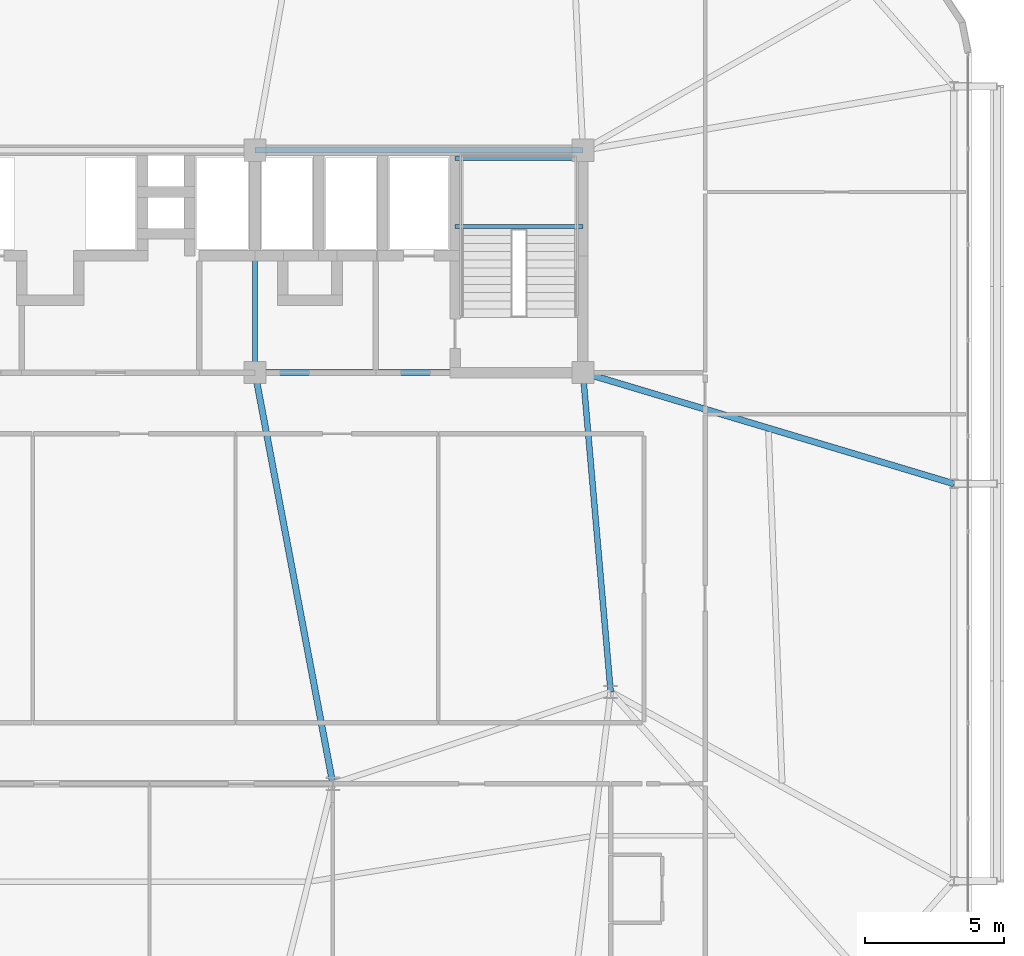
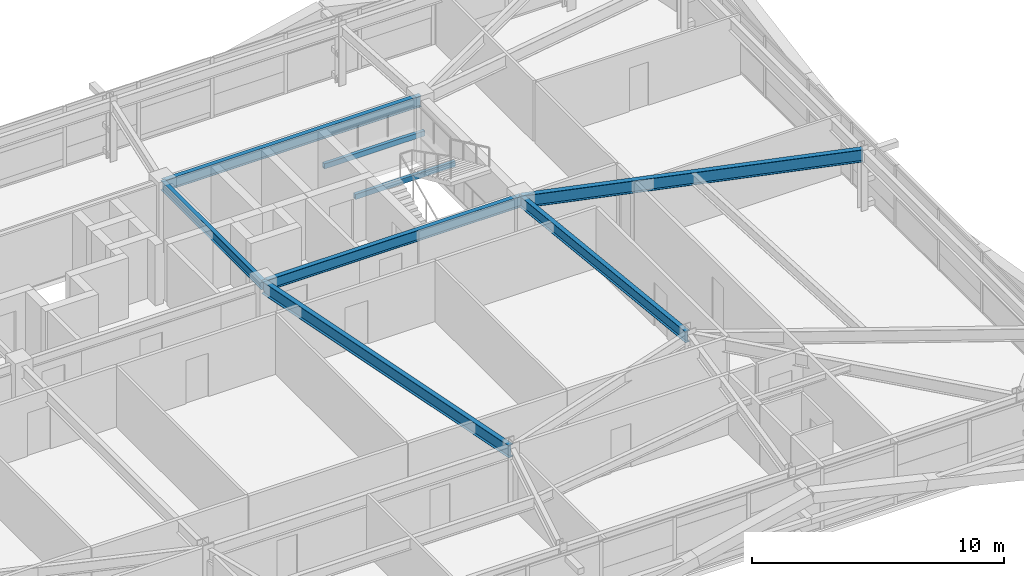
# One storey, part 29 of 58: 8 beams.
"""IFC4 building model written with IfcOpenShell, lengths in metres."""

from ifc_helpers import new_model, si_unit, direction, frame, origin, origin_2d, place, context, subcontext, project, spatial, hollow_rectangle, i_section, extrude, source, transform, mapped, material, material_profile, profile_set, type_object, element, save


model = new_model("IFC4")

# Units and contexts
model_context = context("Model", 3, precision=1e-05, world=origin(), true_north=direction((0.0, 1.0)))
body_context = subcontext(model_context, "Body", "Model", "MODEL_VIEW")
ifc_project = project(units=[si_unit("LENGTHUNIT", "METRE"), si_unit("AREAUNIT", "SQUARE_METRE"), si_unit("VOLUMEUNIT", "CUBIC_METRE"), si_unit("PLANEANGLEUNIT", "RADIAN"), si_unit("MASSUNIT", "GRAM", prefix="KILO")], contexts=[model_context])

# Site, building, storey
site_placement = place(None, origin())
site = spatial("IfcSite", under=ifc_project, at=site_placement, CompositionType="ELEMENT")
building_placement = place(site_placement, origin())
building = spatial("IfcBuilding", under=site, at=building_placement, Name="Taldren Reach Tower", CompositionType="ELEMENT")
storey_placement = place(building_placement, frame((0.0, 0.0, 32.550048828125)))
storey = spatial("IfcBuildingStorey", under=building, at=storey_placement, Name="L09", CompositionType="ELEMENT", Elevation=32.550048828125)

# Beams
ifc_material_1 = material(Name="Steel Gr 350 (350PLUS)", Category="steel")
ifc_material_profile_1 = material_profile(ifc_material_1, i_section(OverallWidth=0.208984375, OverallDepth=0.532958984375, WebThickness=0.01025390625, FlangeThickness=0.015625, at=origin_2d()), Name="530UB92.4")
ifc_profile_set_1 = profile_set([ifc_material_profile_1], Name="Steel Gr 350 (350PLUS)")
beam_type_1 = type_object("IfcBeamType", Name="BM-UB530A", PredefinedType="BEAM", material=ifc_profile_set_1)
shared_shape_1 = source(origin(), body_context, "Body", "SweptSolid", [
    extrude(i_section(OverallWidth=0.208984375, OverallDepth=0.532958984375, WebThickness=0.01025390625, FlangeThickness=0.015625, at=origin_2d()), origin(), (0.0, 0.0, 1.0), 11.800048828125),
])
for number, where, z_axis, x_axis, name in (
    (1, (39.199951171875, 24.0, 2.663330078125), (1.0, 0.0, 0.0), (0.0, 1.0, 0.0), "Core-spine girder L09-SP03"),
    (2, (39.199951171875, 32.0, 2.663330078125), (1.0, 0.0, 0.0), (0.0, 1.0, 0.0), "Core-spine girder L09-SP06"),
):
    element("IfcBeam", number, at=place(storey_placement, frame(where, z_axis=z_axis, x_axis=x_axis)), inside=storey, type_object=beam_type_1, Name=name, PredefinedType="BEAM", context=body_context, shape_type="MappedRepresentation", body=[
        mapped(shared_shape_1, transform((0.0, 0.0, 0.0), scale=1.0)),
    ])
ifc_material_profile_2 = material_profile(ifc_material_1, i_section(OverallWidth=0.19091796875, OverallDepth=0.4599609375, WebThickness=0.010009765625, FlangeThickness=0.01611328125, at=origin_2d()), Name="460UB82.1")
ifc_profile_set_2 = profile_set([ifc_material_profile_2], Name="Steel Gr 350 (350PLUS)")
beam_type_2 = type_object("IfcBeamType", Name="BM-UB460A", PredefinedType="BEAM", material=ifc_profile_set_2)
shared_shape_2 = source(origin(), body_context, "Body", "SweptSolid", [
    extrude(i_section(OverallWidth=0.19091796875, OverallDepth=0.4599609375, WebThickness=0.010009765625, FlangeThickness=0.01611328125, at=origin_2d()), origin(), (0.0, 0.0, 1.0), 8.0),
])
beam_1_placement = place(storey_placement, frame((39.199951171875, 24.0, 2.699951171875), z_axis=(0.0, 1.0, 0.0), x_axis=(-1.0, 0.0, 0.0)))
element("IfcBeam", 3, at=beam_1_placement, inside=storey, type_object=beam_type_2, Name="Core-spine girder L09-SP08", PredefinedType="BEAM", context=body_context, shape_type="MappedRepresentation", body=[
    mapped(shared_shape_2, transform((0.0, 0.0, 0.0), scale=1.0)),
])
shared_shape_3 = source(origin(), body_context, "Body", "SweptSolid", [
    extrude(i_section(OverallWidth=0.208984375, OverallDepth=0.532958984375, WebThickness=0.01025390625, FlangeThickness=0.015625, at=origin_2d()), origin(), (0.0, 0.0, 1.0), 11.54345703125),
])
beam_2_placement = place(storey_placement, frame((52.0, 12.5, 2.663330078125), z_axis=(-0.086629616365, 0.996240588196, 0.0), x_axis=(-0.996240588196, -0.086629616365, 0.0)))
element("IfcBeam", 4, at=beam_2_placement, inside=storey, type_object=beam_type_1, Name="Core-spine girder L09-SP13", PredefinedType="BEAM", context=body_context, shape_type="MappedRepresentation", body=[
    mapped(shared_shape_3, transform((0.0, 0.0, 0.0), scale=1.0)),
])
ifc_material_profile_3 = material_profile(ifc_material_1, i_section(OverallWidth=0.22802734375, OverallDepth=0.60205078125, WebThickness=0.010498046875, FlangeThickness=0.014892578125, at=origin_2d()), Name="610UB101")
ifc_profile_set_3 = profile_set([ifc_material_profile_3], Name="Steel Gr 350 (350PLUS)")
beam_type_3 = type_object("IfcBeamType", Name="BM-UB610B", PredefinedType="BEAM", material=ifc_profile_set_3)
shared_shape_4 = source(origin(), body_context, "Body", "SweptSolid", [
    extrude(i_section(OverallWidth=0.22802734375, OverallDepth=0.60205078125, WebThickness=0.010498046875, FlangeThickness=0.014892578125, at=origin_2d()), origin(), (0.0, 0.0, 1.0), 15.0625),
])
beam_3_placement = place(storey_placement, frame((39.199951171875, 24.0, 2.62890625), z_axis=(0.185894205668, -0.982569765614, 0.0), x_axis=(0.982569765614, 0.185894205668, 0.0)))
element("IfcBeam", 5, at=beam_3_placement, inside=storey, type_object=beam_type_3, Name="Core-spine girder L09-SP15", PredefinedType="BEAM", context=body_context, shape_type="MappedRepresentation", body=[
    mapped(shared_shape_4, transform((0.0, 0.0, 0.0), scale=1.0)),
])
shared_shape_5 = source(origin(), body_context, "Body", "SweptSolid", [
    extrude(i_section(OverallWidth=0.22802734375, OverallDepth=0.60205078125, WebThickness=0.010498046875, FlangeThickness=0.014892578125, at=origin_2d()), origin(), (0.0, 0.0, 1.0), 13.9365234375),
])
beam_4_placement = place(storey_placement, frame((51.0, 24.0, 2.62890625), z_axis=(0.957925550891, -0.287016792104, 0.0), x_axis=(0.287016792104, 0.957925550891, 0.0)))
element("IfcBeam", 6, at=beam_4_placement, inside=storey, type_object=beam_type_3, Name="Primary floor girder B1-E2 L09", PredefinedType="BEAM", context=body_context, shape_type="MappedRepresentation", body=[
    mapped(shared_shape_5, transform((0.0, 0.0, 0.0), scale=1.0)),
])
ifc_material_2 = material(Name="Steel Gr 350 (C350L0)", Category="steel")
ifc_material_profile_4 = material_profile(ifc_material_2, hollow_rectangle(XDim=0.14990234375, YDim=0.25, WallThickness=0.009033203125, at=origin_2d()), Name="250x150x9.0RHS")
ifc_profile_set_4 = profile_set([ifc_material_profile_4], Name="Steel Gr 350 (C350L0)")
beam_type_4 = type_object("IfcBeamType", Name="LN-RHS250", PredefinedType="LINTEL", material=ifc_profile_set_4)
shared_shape_6 = source(origin(), body_context, "Body", "SweptSolid", [
    extrude(hollow_rectangle(XDim=0.14990234375, YDim=0.25, WallThickness=0.009033203125, at=origin_2d()), origin(), (0.0, 0.0, 1.0), 4.60009765625),
])
for number, where, z_axis, x_axis, name in (
    (7, (46.39990234375, 29.2548828125, 1.27001953125), (1.0, 0.0, 0.0), (0.0, 1.0, 0.0), "Stair half-landing support beam ST2-L09-1"),
    (8, (46.39990234375, 31.699951171875, 1.27001953125), (1.0, 0.0, 0.0), (0.0, 1.0, 0.0), "Stair half-landing support beam ST2-L09-2"),
):
    element("IfcBeam", number, at=place(storey_placement, frame(where, z_axis=z_axis, x_axis=x_axis)), inside=storey, type_object=beam_type_4, Name=name, PredefinedType="LINTEL", context=body_context, shape_type="MappedRepresentation", body=[
        mapped(shared_shape_6, transform((0.0, 0.0, 0.0), scale=1.0)),
    ])

save(model, "model.ifc")
